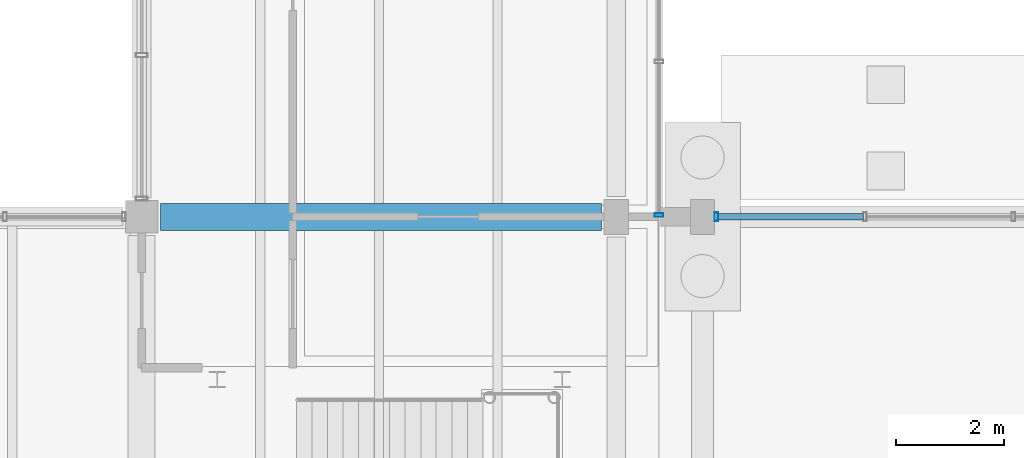
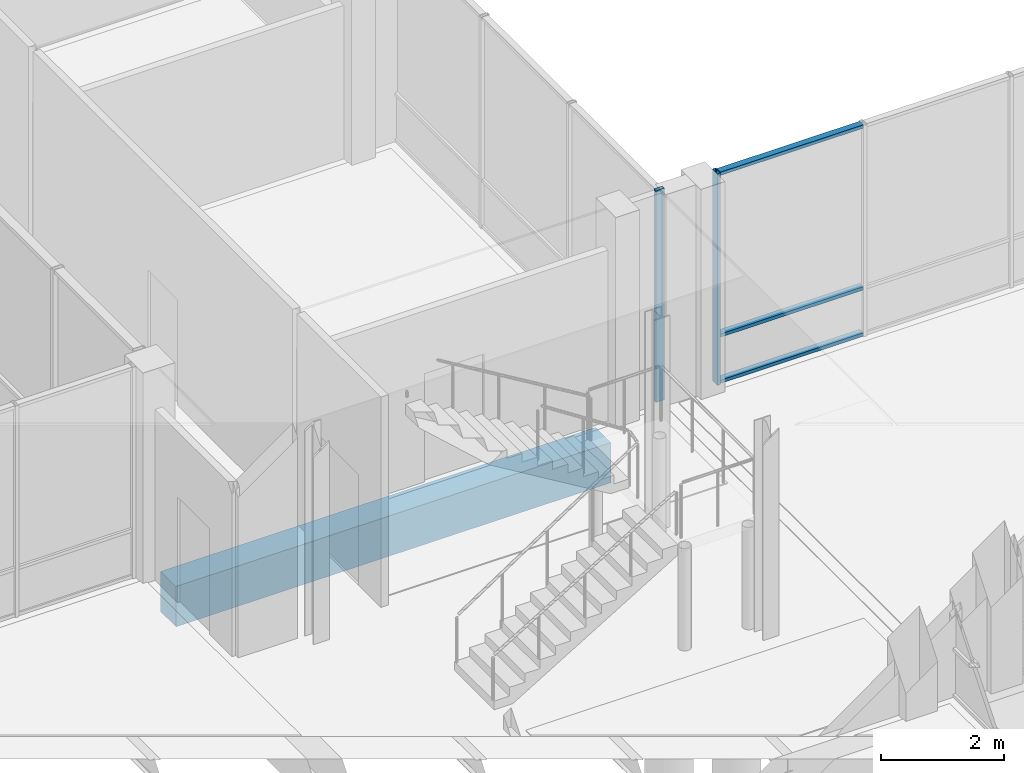
# One storey, part 55 of 104: 5 members, 1 beam, 2 elements without a shape of their own.
"""IFC4 building model written with IfcOpenShell, lengths in metres."""

from ifc_helpers import new_model, si_unit, direction, frame, origin, origin_2d, place, context, subcontext, project, spatial, rectangle, hollow_rectangle, extrude, material, material_profile, profile_set, type_object, element, aggregate, save


model = new_model("IFC4")

# Units and contexts
model_context = context("Model", 3, precision=1e-05, world=origin(), true_north=direction((0.0, 1.0)))
body_context = subcontext(model_context, "Body", "Model", "MODEL_VIEW")
ifc_project = project(units=[si_unit("LENGTHUNIT", "METRE"), si_unit("AREAUNIT", "SQUARE_METRE"), si_unit("VOLUMEUNIT", "CUBIC_METRE"), si_unit("PLANEANGLEUNIT", "RADIAN"), si_unit("MASSUNIT", "GRAM", prefix="KILO")], contexts=[model_context])

# Site, building, storey
site_placement = place(None, origin())
site = spatial("IfcSite", under=ifc_project, at=site_placement, CompositionType="ELEMENT")
building_placement = place(site_placement, origin())
building = spatial("IfcBuilding", under=site, at=building_placement, Name="Hawrajan Terrace Health Centre", CompositionType="ELEMENT")
storey_placement = place(building_placement, origin())
storey = spatial("IfcBuildingStorey", under=building, at=storey_placement, Name="L00", CompositionType="ELEMENT", Elevation=0.0)

# Curtain wall, member
ifc_material_1 = material(Name="Anodized bronze aluminium and low-E solar glazing", Category="aluminium")
curtain_wall_type_1 = type_object("IfcCurtainWallType", Name="CW_CourtNS_SeriesC3", PredefinedType="USERDEFINED", material=ifc_material_1)
curtain_wall_1_placement = place(storey_placement, origin())
curtain_wall_1 = element("IfcCurtainWall", 1, at=curtain_wall_1_placement, inside=storey, type_object=curtain_wall_type_1, Name="Curtain wall CW-L00-033", ObjectType="UNITISED CURTAIN WALL", PredefinedType="USERDEFINED")
ifc_material_2 = material(Name="Anodized bronze aluminium 6063-T6", Category="aluminium")
ifc_material_profile_1 = material_profile(ifc_material_2, hollow_rectangle(XDim=0.06494140625, YDim=0.159912109375, WallThickness=0.00390625, at=origin_2d()), Name="CW MUL 65x160")
ifc_profile_set_1 = profile_set([ifc_material_profile_1], Name="Anodized bronze aluminium 6063-T6")
member_type_1 = type_object("IfcMemberType", Name="CWMullion_65x160", PredefinedType="MULLION", material=ifc_profile_set_1)
member_1_placement = place(storey_placement, frame((71.794921875, 36.83251953125, -0.0048828125), z_axis=(0.0, 0.0, 1.0), x_axis=(0.0, 1.0, 0.0)))
member_1 = element("IfcMember", 2, at=member_1_placement, type_object=member_type_1, Name="Mullion CW-L00-033-M1", PredefinedType="MULLION", context=body_context, shape_type="SweptSolid", body=[
    extrude(hollow_rectangle(XDim=0.06494140625, YDim=0.159912109375, WallThickness=0.00390625, at=origin_2d()), origin(), (0.0, 0.0, 1.0), 4.2099609375),
])
aggregate(curtain_wall_1, [member_1])

# Curtain wall, members
curtain_wall_type_2 = type_object("IfcCurtainWallType", Name="CW_Pavilion_SeriesE1", PredefinedType="USERDEFINED", material=ifc_material_1)
curtain_wall_2_placement = place(storey_placement, origin())
curtain_wall_2 = element("IfcCurtainWall", 3, at=curtain_wall_2_placement, inside=storey, type_object=curtain_wall_type_2, Name="Curtain wall CW-L00-036", ObjectType="UNITISED CURTAIN WALL", PredefinedType="USERDEFINED")
member_2_placement = place(storey_placement, frame((72.857421875, 36.800048828125, -0.0048828125), z_axis=(0.0, 0.0, 1.0), x_axis=(1.0, 0.0, 0.0)))
member_2 = element("IfcMember", 4, at=member_2_placement, type_object=member_type_1, Name="Mullion CW-L00-036-M1", PredefinedType="MULLION", context=body_context, shape_type="SweptSolid", body=[
    extrude(hollow_rectangle(XDim=0.06494140625, YDim=0.159912109375, WallThickness=0.00390625, at=origin_2d()), origin(), (0.0, 0.0, 1.0), 4.2099609375),
])
ifc_material_profile_2 = material_profile(ifc_material_2, hollow_rectangle(XDim=0.06494140625, YDim=0.1201171875, WallThickness=0.00341796875, at=origin_2d()), Name="CW TRN 65x120")
ifc_profile_set_2 = profile_set([ifc_material_profile_2], Name="Anodized bronze aluminium 6063-T6")
member_type_2 = type_object("IfcMemberType", Name="CWTransom_65x120", PredefinedType="USERDEFINED", material=ifc_profile_set_2)
member_3_placement = place(storey_placement, frame((72.884033203125, 36.800048828125, 0.032470703125), z_axis=(1.0, 0.0, 0.0), x_axis=(0.0, 0.0, 1.0)))
member_3 = element("IfcMember", 5, at=member_3_placement, type_object=member_type_2, Name="Transom CW-L00-036-T1-1", ObjectType="TRANSOM", PredefinedType="USERDEFINED", context=body_context, shape_type="SweptSolid", body=[
    extrude(hollow_rectangle(XDim=0.06494140625, YDim=0.1201171875, WallThickness=0.00341796875, at=origin_2d()), origin(), (0.0, 0.0, 1.0), 2.7001953125),
])
member_4_placement = place(storey_placement, frame((72.884033203125, 36.800048828125, 0.949951171875), z_axis=(1.0, 0.0, 0.0), x_axis=(0.0, 0.0, 1.0)))
member_4 = element("IfcMember", 6, at=member_4_placement, type_object=member_type_2, Name="Transom CW-L00-036-T1-2", ObjectType="TRANSOM", PredefinedType="USERDEFINED", context=body_context, shape_type="SweptSolid", body=[
    extrude(hollow_rectangle(XDim=0.06494140625, YDim=0.1201171875, WallThickness=0.00341796875, at=origin_2d()), origin(), (0.0, 0.0, 1.0), 2.7001953125),
])
member_5_placement = place(storey_placement, frame((72.884033203125, 36.800048828125, 4.16748046875), z_axis=(1.0, 0.0, 0.0), x_axis=(0.0, 0.0, 1.0)))
member_5 = element("IfcMember", 7, at=member_5_placement, type_object=member_type_2, Name="Transom CW-L00-036-T1-3", ObjectType="TRANSOM", PredefinedType="USERDEFINED", context=body_context, shape_type="SweptSolid", body=[
    extrude(hollow_rectangle(XDim=0.06494140625, YDim=0.1201171875, WallThickness=0.00341796875, at=origin_2d()), origin(), (0.0, 0.0, 1.0), 2.7001953125),
])
aggregate(curtain_wall_2, [member_2, member_3, member_4, member_5])

# Beam
ifc_material_3 = material(Name="Concrete C40/50", Category="concrete")
ifc_material_profile_3 = material_profile(ifc_material_3, rectangle(XDim=0.5, YDim=0.800048828125, at=origin_2d()), Name="RC BM 500x800")
ifc_profile_set_3 = profile_set([ifc_material_profile_3], Name="Concrete C40/50")
beam_type = type_object("IfcBeamType", Name="RCGirder_500x800", PredefinedType="BEAM", material=ifc_profile_set_3)
beam_placement = place(storey_placement, frame((62.550048828125, 36.800048828125, -0.699951171875), z_axis=(1.0, 0.0, 0.0), x_axis=(0.0, 1.0, 0.0)))
element("IfcBeam", 8, at=beam_placement, inside=storey, type_object=beam_type, Name="Beam BM-X-L00-W-09-Y5", PredefinedType="BEAM", context=body_context, shape_type="SweptSolid", body=[
    extrude(rectangle(XDim=0.5, YDim=0.800048828125, at=origin_2d()), origin(), (0.0, 0.0, 1.0), 8.175048828125),
])

save(model, "model.ifc")
